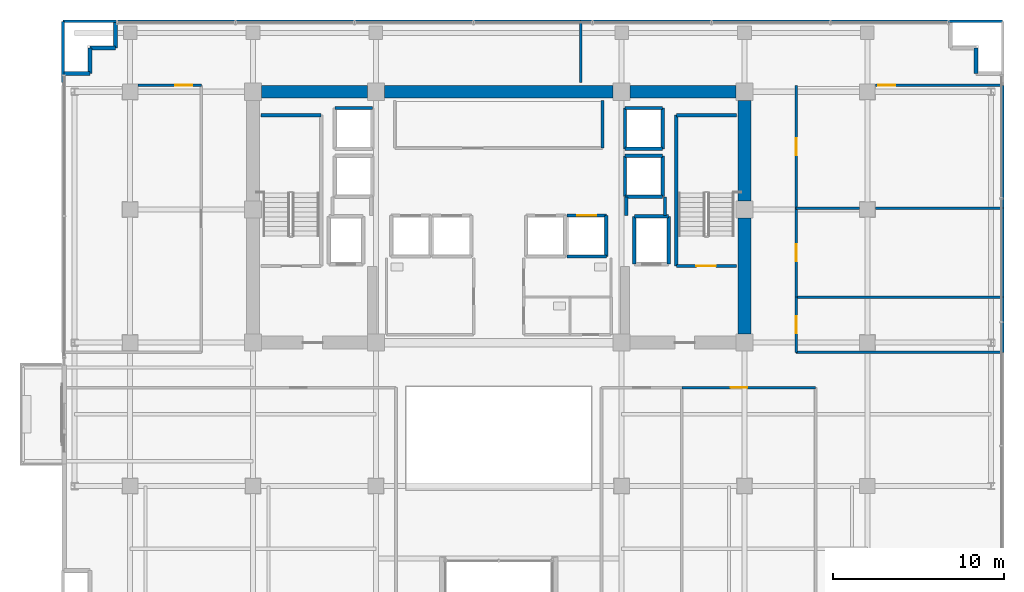
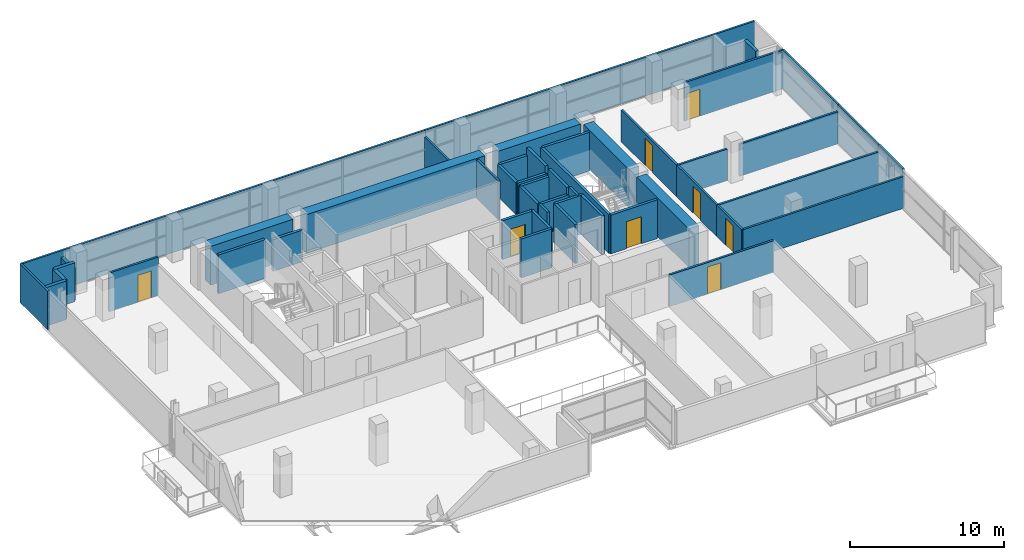
# One storey, part 17 of 23: 49 walls, 8 doors, 8 openings.
"""IFC4 building model written with IfcOpenShell, lengths in metres."""

from ifc_helpers import new_model, si_unit, direction, frame, frame_2d, origin, place, context, subcontext, project, spatial, rectangle, extrude, source, transform, mapped, material, layer, layer_set, type_object, element, fill, save


model = new_model("IFC4")

# Units and contexts
model_context = context("Model", 3, precision=1e-05, world=origin(), true_north=direction((0.0, 1.0)))
body_context = subcontext(model_context, "Body", "Model", "MODEL_VIEW")
ifc_project = project(units=[si_unit("LENGTHUNIT", "METRE"), si_unit("AREAUNIT", "SQUARE_METRE"), si_unit("VOLUMEUNIT", "CUBIC_METRE"), si_unit("PLANEANGLEUNIT", "RADIAN"), si_unit("MASSUNIT", "GRAM", prefix="KILO")], contexts=[model_context])

# Site, building, storey
site_placement = place(None, origin())
site = spatial("IfcSite", under=ifc_project, at=site_placement, CompositionType="ELEMENT")
building_placement = place(site_placement, origin())
building = spatial("IfcBuilding", under=site, at=building_placement, Name="Zarnakvel Exchange Tower", CompositionType="ELEMENT")
storey_placement = place(building_placement, frame((0.0, 0.0, 129.699951171875)))
storey = spatial("IfcBuildingStorey", under=building, at=storey_placement, Name="L36", CompositionType="ELEMENT", Elevation=129.699951171875)

# Walls
ifc_material_1 = material(Name="Concrete C60/75", Category="concrete")
ifc_layer_1 = layer(ifc_material_1, 0.75)
ifc_layer_set_1 = layer_set([ifc_layer_1], Name="Concrete C60/75")
wall_type_1 = type_object("IfcWallType", Name="CW-C3", PredefinedType="SHEAR", material=ifc_layer_set_1)
wall_1_placement = place(storey_placement, frame((-13.89990234375, 13.5, 0.0), z_axis=(0.0, 0.0, 1.0), x_axis=(1.0, 0.0, 0.0)))
element("IfcWall", 1, at=wall_1_placement, inside=storey, type_object=wall_type_1, Name="L36 Rear Core Shear Wall N1 (CW-C3)", PredefinedType="SHEAR", context=body_context, shape_type="SweptSolid", body=[
    extrude(rectangle(XDim=6.199951171875, YDim=0.75, at=frame_2d((3.10009765625, 0.0))), origin(), (0.0, 0.0, 1.0), 3.074951171875),
])
wall_2_placement = place(storey_placement, frame((-6.699951171875, 13.5, 0.0), z_axis=(0.0, 0.0, 1.0), x_axis=(1.0, 0.0, 0.0)))
element("IfcWall", 2, at=wall_2_placement, inside=storey, type_object=wall_type_1, Name="L36 Rear Core Shear Wall N2 (CW-C3)", PredefinedType="SHEAR", context=body_context, shape_type="SweptSolid", body=[
    extrude(rectangle(XDim=13.39990234375, YDim=0.75, at=frame_2d((6.699951171875, 0.0))), origin(), (0.0, 0.0, 1.0), 3.074951171875),
])
wall_3_placement = place(storey_placement, frame((7.699951171875, 13.5, 0.0), z_axis=(0.0, 0.0, 1.0), x_axis=(1.0, 0.0, 0.0)))
element("IfcWall", 3, at=wall_3_placement, inside=storey, type_object=wall_type_1, Name="L36 Rear Core Shear Wall N3 (CW-C3)", PredefinedType="SHEAR", context=body_context, shape_type="SweptSolid", body=[
    extrude(rectangle(XDim=6.199951171875, YDim=0.75, at=frame_2d((3.10009765625, 0.0))), origin(), (0.0, 0.0, 1.0), 3.074951171875),
])
wall_4_placement = place(storey_placement, frame((14.39990234375, -0.699951171875, 0.0), z_axis=(0.0, 0.0, 1.0), x_axis=(0.0, 1.0, 0.0)))
element("IfcWall", 4, at=wall_4_placement, inside=storey, type_object=wall_type_1, Name="L36 Rear Core Shear Wall E1 (CW-C3)", PredefinedType="SHEAR", context=body_context, shape_type="SweptSolid", body=[
    extrude(rectangle(XDim=6.800048828125, YDim=0.75, at=frame_2d((3.39990234375, 0.0))), origin(), (0.0, 0.0, 1.0), 3.074951171875),
])
wall_5_placement = place(storey_placement, frame((14.39990234375, 7.10009765625, 0.0), z_axis=(0.0, 0.0, 1.0), x_axis=(0.0, 1.0, 0.0)))
element("IfcWall", 5, at=wall_5_placement, inside=storey, type_object=wall_type_1, Name="L36 Rear Core Shear Wall E2 (CW-C3)", PredefinedType="SHEAR", context=body_context, shape_type="SweptSolid", body=[
    extrude(rectangle(XDim=5.89990234375, YDim=0.75, at=frame_2d((2.949951171875, 0.0))), origin(), (0.0, 0.0, 1.0), 3.074951171875),
])
ifc_material_2 = material(Name="Precast concrete C40/50", Category="concrete")
ifc_layer_2 = layer(ifc_material_2, 0.239990234375)
ifc_layer_set_2 = layer_set([ifc_layer_2], Name="Precast concrete C40/50")
wall_type_2 = type_object("IfcWallType", Name="EW-02", PredefinedType="SOLIDWALL", material=ifc_layer_set_2)
for number, where, z_axis, x_axis, name in (
    (6, (-23.9599609375, 14.56005859375, 0.0), (0.0, 0.0, 1.0), (-1.0, 0.0, 0.0), "L36 Exterior Precast Spandrel Wall EWC-L36-03 (EW-02)"),
    (7, (-23.9599609375, 16.06005859375, 0.0), (0.0, 0.0, 1.0), (0.0, -1.0, 0.0), "L36 Exterior Precast Spandrel Wall EWC-L36-04 (EW-02)"),
    (8, (-22.4599609375, 16.06005859375, 0.0), (0.0, 0.0, 1.0), (-1.0, 0.0, 0.0), "L36 Exterior Precast Spandrel Wall EWC-L36-05 (EW-02)"),
):
    element("IfcWall", number, at=place(storey_placement, frame(where, z_axis=z_axis, x_axis=x_axis)), inside=storey, type_object=wall_type_2, Name=name, PredefinedType="SOLIDWALL", context=body_context, shape_type="SweptSolid", body=[
        extrude(rectangle(XDim=1.5, YDim=0.239990234375, at=frame_2d((0.75, 0.0))), origin(), (0.0, 0.0, 1.0), 3.074951171875),
    ])
wall_6_placement = place(storey_placement, frame((-22.4599609375, 17.56005859375, 0.0), z_axis=(0.0, 0.0, 1.0), x_axis=(0.0, -1.0, 0.0)))
element("IfcWall", 9, at=wall_6_placement, inside=storey, type_object=wall_type_2, Name="L36 Exterior Precast Spandrel Wall EWC-L36-06 (EW-02)", PredefinedType="SOLIDWALL", context=body_context, shape_type="SweptSolid", body=[
    extrude(rectangle(XDim=1.5, YDim=0.239990234375, at=frame_2d((0.75, 0.0))), origin(), (0.0, 0.0, 1.0), 2.56494140625),
])
wall_7_placement = place(storey_placement, frame((27.9599609375, 14.56005859375, 0.0), z_axis=(0.0, 0.0, 1.0), x_axis=(0.0, 1.0, 0.0)))
element("IfcWall", 10, at=wall_7_placement, inside=storey, type_object=wall_type_2, Name="L36 Exterior Precast Spandrel Wall EWC-L36-09 (EW-02)", PredefinedType="SOLIDWALL", context=body_context, shape_type="SweptSolid", body=[
    extrude(rectangle(XDim=1.5, YDim=0.239990234375, at=frame_2d((0.75, 0.0))), origin(), (0.0, 0.0, 1.0), 3.074951171875),
])
ifc_material_3 = material(Name="Fire-Rated Gypsum Stud Partition", Category="gypsum")
ifc_layer_3 = layer(ifc_material_3, 0.14990234375)
ifc_layer_set_3 = layer_set([ifc_layer_3], Name="Fire-Rated Gypsum Stud Partition")
wall_type_3 = type_object("IfcWallType", Name="PT-01", PredefinedType="PARTITIONING", material=ifc_layer_set_3)
wall_8_placement = place(storey_placement, frame((6.080078125, 13.0, 0.0), z_axis=(0.0, 0.0, 1.0), x_axis=(0.0, -1.0, 0.0)))
element("IfcWall", 11, at=wall_8_placement, inside=storey, type_object=wall_type_3, Name="L36 Partition Wall PWALL-L36-013 (PT-01)", PredefinedType="PARTITIONING", context=body_context, shape_type="SweptSolid", body=[
    extrude(rectangle(XDim=2.800048828125, YDim=0.14990234375, at=frame_2d((1.39990234375, 0.0))), origin(), (0.0, 0.0, 1.0), 3.074951171875),
])

# Wall, opening, door
wall_9_placement = place(storey_placement, frame((10.72900390625, -3.830078125, 0.0), z_axis=(0.0, 0.0, 1.0), x_axis=(1.0, 0.0, 0.0)))
wall_9 = element("IfcWall", 12, at=wall_9_placement, inside=storey, type_object=wall_type_3, Name="L36 Partition Wall PWALL-L36-034 (PT-01)", PredefinedType="PARTITIONING", context=body_context, shape_type="SweptSolid", body=[
    extrude(rectangle(XDim=7.8369140625, YDim=0.14990234375, at=frame_2d((3.91845703125, 0.0))), origin(), (0.0, 0.0, 1.0), 2.51513671875),
])
opening_1_placement = place(wall_9_placement, frame((2.86083984375, 0.0, 0.0)))
opening_1 = element("IfcOpeningElement", 13, at=opening_1_placement, cuts=wall_9, Name="Opening D-L36-12", PredefinedType="OPENING", context=body_context, shape_type="SweptSolid", body=[
    extrude(rectangle(XDim=0.97998046875, YDim=2.14990234375, at=frame_2d((0.489990234375, 1.074951171875))), frame((0.0, 0.0849609375, 0.0), z_axis=(0.0, -1.0, 0.0), x_axis=(1.0, 0.0, 0.0)), (0.0, 0.0, 1.0), 0.169921875),
])
ifc_material_4 = material(Name="Timber Acoustic Veneer", Category="wood")
door_type_1 = type_object("IfcDoorType", Name="DT-05", OperationType="NOTDEFINED", PredefinedType="DOOR", material=ifc_material_4)
shared_shape_1 = source(origin(), body_context, "Body", "SweptSolid", [
    extrude(rectangle(XDim=0.97998046875, YDim=2.14990234375, at=frame_2d((0.489990234375, 1.074951171875))), frame((0.0, 0.02490234375, 0.0), z_axis=(0.0, -1.0, 0.0), x_axis=(1.0, 0.0, 0.0)), (0.0, 0.0, 1.0), 0.050048828125),
])
door_1_placement = place(opening_1_placement, origin())
door_1 = element("IfcDoor", 14, at=door_1_placement, inside=storey, type_object=door_type_1, Name="L36 Executive Office Door D-L36-12", OperationType="SINGLE_SWING_RIGHT", OverallHeight=2.14990234375, OverallWidth=0.97998046875, PredefinedType="DOOR", context=body_context, shape_type="MappedRepresentation", body=[
    mapped(shared_shape_1, transform((0.0, 0.0, 0.0), x_axis=(1.0, 0.0, 0.0), y_axis=(0.0, 1.0, 0.0), z_axis=(0.0, 0.0, 1.0), scale=1.0)),
])
fill(opening_1, door_1)

wall_10_placement = place(storey_placement, frame((-21.1298828125, 13.8798828125, 0.0), z_axis=(0.0, 0.0, 1.0), x_axis=(1.0, 0.0, 0.0)))
wall_10 = element("IfcWall", 15, at=wall_10_placement, inside=storey, type_object=wall_type_3, Name="L36 Partition Wall PWALL-L36-037 (PT-01)", PredefinedType="PARTITIONING", context=body_context, shape_type="SweptSolid", body=[
    extrude(rectangle(XDim=3.699951171875, YDim=0.14990234375, at=frame_2d((1.85009765625, 0.0))), origin(), (0.0, 0.0, 1.0), 3.074951171875),
])
opening_2_placement = place(wall_10_placement, frame((2.18994140625, 0.0, 0.0)))
opening_2 = element("IfcOpeningElement", 16, at=opening_2_placement, cuts=wall_10, Name="Opening D-L36-17", PredefinedType="OPENING", context=body_context, shape_type="SweptSolid", body=[
    extrude(rectangle(XDim=0.97998046875, YDim=2.14990234375, at=frame_2d((0.489990234375, 1.074951171875))), frame((0.0, 0.0849609375, 0.0), z_axis=(0.0, -1.0, 0.0), x_axis=(1.0, 0.0, 0.0)), (0.0, 0.0, 1.0), 0.169921875),
])
door_2_placement = place(opening_2_placement, origin())
door_2 = element("IfcDoor", 17, at=door_2_placement, inside=storey, type_object=door_type_1, Name="L36 Risk Analytics Suite Door D-L36-17", OperationType="SINGLE_SWING_LEFT", OverallHeight=2.14990234375, OverallWidth=0.97998046875, PredefinedType="DOOR", context=body_context, shape_type="MappedRepresentation", body=[
    mapped(shared_shape_1, transform((0.0, 0.0, 0.0), x_axis=(1.0, 0.0, 0.0), y_axis=(0.0, 1.0, 0.0), z_axis=(0.0, 0.0, 1.0), scale=1.0)),
])
fill(opening_2, door_2)

# Walls
for number, where, z_axis, x_axis, name in (
    (18, (29.530029296875, -1.77001953125, 0.0), (0.0, 0.0, 1.0), (-1.0, 0.0, 0.0), "L36 Partition Wall PWALL-L36-040 (PT-01)"),
    (19, (17.429931640625, 1.460205078125, 0.0), (0.0, 0.0, 1.0), (1.0, 0.0, 0.0), "L36 Partition Wall PWALL-L36-041 (PT-01)"),
):
    element("IfcWall", number, at=place(storey_placement, frame(where, z_axis=z_axis, x_axis=x_axis)), inside=storey, type_object=wall_type_3, Name=name, PredefinedType="PARTITIONING", context=body_context, shape_type="SweptSolid", body=[
        extrude(rectangle(XDim=12.10009765625, YDim=0.14990234375, at=frame_2d((6.050048828125, 0.0))), origin(), (0.0, 0.0, 1.0), 2.51513671875),
    ])

# Wall, opening, door
wall_11_placement = place(storey_placement, frame((17.429931640625, -1.77001953125, 0.0), z_axis=(0.0, 0.0, 1.0), x_axis=(0.0, 1.0, 0.0)))
wall_11 = element("IfcWall", 20, at=wall_11_placement, inside=storey, type_object=wall_type_3, Name="L36 Partition Wall PWALL-L36-042 (PT-01)", PredefinedType="PARTITIONING", context=body_context, shape_type="SweptSolid", body=[
    extrude(rectangle(XDim=3.230224609375, YDim=0.14990234375, at=frame_2d((1.615234375, 0.0))), origin(), (0.0, 0.0, 1.0), 2.51513671875),
])
opening_3_placement = place(wall_11_placement, frame((1.125, 0.0, 0.0)))
opening_3 = element("IfcOpeningElement", 21, at=opening_3_placement, cuts=wall_11, Name="Opening D-L36-14", PredefinedType="OPENING", context=body_context, shape_type="SweptSolid", body=[
    extrude(rectangle(XDim=0.97998046875, YDim=2.14990234375, at=frame_2d((0.489990234375, 1.074951171875))), frame((0.0, 0.0849609375, 0.0), z_axis=(0.0, -1.0, 0.0), x_axis=(1.0, 0.0, 0.0)), (0.0, 0.0, 1.0), 0.169921875),
])
door_3_placement = place(opening_3_placement, origin())
door_3 = element("IfcDoor", 22, at=door_3_placement, inside=storey, type_object=door_type_1, Name="L36 Staff Pantry Door D-L36-14", OperationType="SINGLE_SWING_RIGHT", OverallHeight=2.14990234375, OverallWidth=0.97998046875, PredefinedType="DOOR", context=body_context, shape_type="MappedRepresentation", body=[
    mapped(shared_shape_1, transform((0.0, 0.0, 0.0), x_axis=(1.0, 0.0, 0.0), y_axis=(0.0, 1.0, 0.0), z_axis=(0.0, 0.0, 1.0), scale=1.0)),
])
fill(opening_3, door_3)

# Walls
wall_12_placement = place(storey_placement, frame((29.530029296875, 1.460205078125, 0.0), z_axis=(0.0, 0.0, 1.0), x_axis=(0.0, -1.0, 0.0)))
element("IfcWall", 23, at=wall_12_placement, inside=storey, type_object=wall_type_3, Name="L36 Partition Wall PWALL-L36-043 (PT-01)", PredefinedType="PARTITIONING", context=body_context, shape_type="SweptSolid", body=[
    extrude(rectangle(XDim=3.230224609375, YDim=0.14990234375, at=frame_2d((1.615234375, 0.0))), origin(), (0.0, 0.0, 1.0), 3.074951171875),
])
wall_13_placement = place(storey_placement, frame((22.070068359375, 6.6767578125, 0.0), z_axis=(0.0, 0.0, 1.0), x_axis=(1.0, 0.0, 0.0)))
element("IfcWall", 24, at=wall_13_placement, inside=storey, type_object=wall_type_3, Name="L36 Partition Wall PWALL-L36-044 (PT-01)", PredefinedType="PARTITIONING", context=body_context, shape_type="SweptSolid", body=[
    extrude(rectangle(XDim=7.4599609375, YDim=0.14990234375, at=frame_2d((3.72998046875, 0.0))), origin(), (0.0, 0.0, 1.0), 2.56494140625),
])

# Wall, opening, door
wall_14_placement = place(storey_placement, frame((17.429931640625, 1.460205078125, 0.0), z_axis=(0.0, 0.0, 1.0), x_axis=(0.0, 1.0, 0.0)))
wall_14 = element("IfcWall", 25, at=wall_14_placement, inside=storey, type_object=wall_type_3, Name="L36 Partition Wall PWALL-L36-045 (PT-01)", PredefinedType="PARTITIONING", context=body_context, shape_type="SweptSolid", body=[
    extrude(rectangle(XDim=5.216552734375, YDim=0.14990234375, at=frame_2d((2.6083984375, 0.0))), origin(), (0.0, 0.0, 1.0), 2.51513671875),
])
opening_4_placement = place(wall_14_placement, frame((2.117919921875, 0.0, 0.0)))
opening_4 = element("IfcOpeningElement", 26, at=opening_4_placement, cuts=wall_14, Name="Opening D-L36-15", PredefinedType="OPENING", context=body_context, shape_type="SweptSolid", body=[
    extrude(rectangle(XDim=0.97998046875, YDim=2.14990234375, at=frame_2d((0.489990234375, 1.074951171875))), frame((0.0, 0.0849609375, 0.0), z_axis=(0.0, -1.0, 0.0), x_axis=(1.0, 0.0, 0.0)), (0.0, 0.0, 1.0), 0.169921875),
])
door_4_placement = place(opening_4_placement, origin())
door_4 = element("IfcDoor", 27, at=door_4_placement, inside=storey, type_object=door_type_1, Name="L36 Risk Analytics Suite Door D-L36-15", OperationType="SINGLE_SWING_LEFT", OverallHeight=2.14990234375, OverallWidth=0.97998046875, PredefinedType="DOOR", context=body_context, shape_type="MappedRepresentation", body=[
    mapped(shared_shape_1, transform((0.0, 0.0, 0.0), x_axis=(1.0, 0.0, 0.0), y_axis=(0.0, 1.0, 0.0), z_axis=(0.0, 0.0, 1.0), scale=1.0)),
])
fill(opening_4, door_4)

# Walls
wall_15_placement = place(storey_placement, frame((29.530029296875, 6.6767578125, 0.0), z_axis=(0.0, 0.0, 1.0), x_axis=(0.0, -1.0, 0.0)))
element("IfcWall", 28, at=wall_15_placement, inside=storey, type_object=wall_type_3, Name="L36 Partition Wall PWALL-L36-046 (PT-01)", PredefinedType="PARTITIONING", context=body_context, shape_type="SweptSolid", body=[
    extrude(rectangle(XDim=5.216552734375, YDim=0.14990234375, at=frame_2d((2.6083984375, 0.0))), origin(), (0.0, 0.0, 1.0), 3.074951171875),
])
wall_16_placement = place(storey_placement, frame((21.1298828125, 6.6767578125, 0.0), z_axis=(0.0, 0.0, 1.0), x_axis=(-1.0, 0.0, 0.0)))
element("IfcWall", 29, at=wall_16_placement, inside=storey, type_object=wall_type_3, Name="L36 Partition Wall PWALL-L36-047 (PT-01)", PredefinedType="PARTITIONING", context=body_context, shape_type="SweptSolid", body=[
    extrude(rectangle(XDim=3.699951171875, YDim=0.14990234375, at=frame_2d((1.85009765625, 0.0))), origin(), (0.0, 0.0, 1.0), 2.51513671875),
])

# Wall, opening, door
wall_17_placement = place(storey_placement, frame((22.070068359375, 13.8798828125, 0.0), z_axis=(0.0, 0.0, 1.0), x_axis=(1.0, 0.0, 0.0)))
wall_17 = element("IfcWall", 30, at=wall_17_placement, inside=storey, type_object=wall_type_3, Name="L36 Partition Wall PWALL-L36-048 (PT-01)", PredefinedType="PARTITIONING", context=body_context, shape_type="SweptSolid", body=[
    extrude(rectangle(XDim=7.4599609375, YDim=0.14990234375, at=frame_2d((3.72998046875, 0.0))), origin(), (0.0, 0.0, 1.0), 3.074951171875),
])
opening_5_placement = place(wall_17_placement, frame((0.179931640625, 0.0, 0.0)))
opening_5 = element("IfcOpeningElement", 31, at=opening_5_placement, cuts=wall_17, Name="Opening D-L36-18", PredefinedType="OPENING", context=body_context, shape_type="SweptSolid", body=[
    extrude(rectangle(XDim=0.97998046875, YDim=2.14990234375, at=frame_2d((0.489990234375, 1.074951171875))), frame((0.0, 0.0849609375, 0.0), z_axis=(0.0, -1.0, 0.0), x_axis=(1.0, 0.0, 0.0)), (0.0, 0.0, 1.0), 0.169921875),
])
door_5_placement = place(opening_5_placement, origin())
door_5 = element("IfcDoor", 32, at=door_5_placement, inside=storey, type_object=door_type_1, Name="L36 Members Lounge Door D-L36-18", OperationType="SINGLE_SWING_RIGHT", OverallHeight=2.14990234375, OverallWidth=0.97998046875, PredefinedType="DOOR", context=body_context, shape_type="MappedRepresentation", body=[
    mapped(shared_shape_1, transform((0.0, 0.0, 0.0), x_axis=(1.0, 0.0, 0.0), y_axis=(0.0, 1.0, 0.0), z_axis=(0.0, 0.0, 1.0), scale=1.0)),
])
fill(opening_5, door_5)

wall_18_placement = place(storey_placement, frame((17.429931640625, 6.6767578125, 0.0), z_axis=(0.0, 0.0, 1.0), x_axis=(0.0, 1.0, 0.0)))
wall_18 = element("IfcWall", 33, at=wall_18_placement, inside=storey, type_object=wall_type_3, Name="L36 Partition Wall PWALL-L36-049 (PT-01)", PredefinedType="PARTITIONING", context=body_context, shape_type="SweptSolid", body=[
    extrude(rectangle(XDim=7.203125, YDim=0.14990234375, at=frame_2d((3.6015625, 0.0))), origin(), (0.0, 0.0, 1.0), 2.51513671875),
])
opening_6_placement = place(wall_18_placement, frame((3.111083984375, 0.0, 0.0)))
opening_6 = element("IfcOpeningElement", 34, at=opening_6_placement, cuts=wall_18, Name="Opening D-L36-16", PredefinedType="OPENING", context=body_context, shape_type="SweptSolid", body=[
    extrude(rectangle(XDim=0.97998046875, YDim=2.14990234375, at=frame_2d((0.489990234375, 1.074951171875))), frame((0.0, 0.0849609375, 0.0), z_axis=(0.0, -1.0, 0.0), x_axis=(1.0, 0.0, 0.0)), (0.0, 0.0, 1.0), 0.169921875),
])
door_6_placement = place(opening_6_placement, origin())
door_6 = element("IfcDoor", 35, at=door_6_placement, inside=storey, type_object=door_type_1, Name="L36 Members Lounge Door D-L36-16", OperationType="SINGLE_SWING_RIGHT", OverallHeight=2.14990234375, OverallWidth=0.97998046875, PredefinedType="DOOR", context=body_context, shape_type="MappedRepresentation", body=[
    mapped(shared_shape_1, transform((0.0, 0.0, 0.0), x_axis=(1.0, 0.0, 0.0), y_axis=(0.0, 1.0, 0.0), z_axis=(0.0, 0.0, 1.0), scale=1.0)),
])
fill(opening_6, door_6)

# Walls
wall_19_placement = place(storey_placement, frame((29.530029296875, 13.8798828125, 0.0), z_axis=(0.0, 0.0, 1.0), x_axis=(0.0, -1.0, 0.0)))
element("IfcWall", 36, at=wall_19_placement, inside=storey, type_object=wall_type_3, Name="L36 Partition Wall PWALL-L36-050 (PT-01)", PredefinedType="PARTITIONING", context=body_context, shape_type="SweptSolid", body=[
    extrude(rectangle(XDim=7.203125, YDim=0.14990234375, at=frame_2d((3.6015625, 0.0))), origin(), (0.0, 0.0, 1.0), 3.074951171875),
])
wall_20_placement = place(storey_placement, frame((-25.530029296875, 17.6298828125, 0.0), z_axis=(0.0, 0.0, 1.0), x_axis=(1.0, 0.0, 0.0)))
element("IfcWall", 37, at=wall_20_placement, inside=storey, type_object=wall_type_3, Name="L36 Partition Wall PWALL-L36-051 (PT-01)", PredefinedType="PARTITIONING", context=body_context, shape_type="SweptSolid", body=[
    extrude(rectangle(XDim=30.330078125, YDim=0.14990234375, at=frame_2d((15.1650390625, 0.0))), origin(), (0.0, 0.0, 1.0), 3.074951171875),
])
wall_21_placement = place(storey_placement, frame((-25.530029296875, 14.030029296875, 0.0), z_axis=(0.0, 0.0, 1.0), x_axis=(0.0, 1.0, 0.0)))
element("IfcWall", 38, at=wall_21_placement, inside=storey, type_object=wall_type_3, Name="L36 Partition Wall PWALL-L36-052 (PT-01)", PredefinedType="PARTITIONING", context=body_context, shape_type="SweptSolid", body=[
    extrude(rectangle(XDim=3.599853515625, YDim=0.14990234375, at=frame_2d((1.7998046875, 0.0))), origin(), (0.0, 0.0, 1.0), 3.074951171875),
])
wall_22_placement = place(storey_placement, frame((4.800048828125, 17.6298828125, 0.0), z_axis=(0.0, 0.0, 1.0), x_axis=(0.0, -1.0, 0.0)))
element("IfcWall", 39, at=wall_22_placement, inside=storey, type_object=wall_type_3, Name="L36 Partition Wall PWALL-L36-053 (PT-01)", PredefinedType="PARTITIONING", context=body_context, shape_type="SweptSolid", body=[
    extrude(rectangle(XDim=3.599853515625, YDim=0.14990234375, at=frame_2d((1.7998046875, 0.0))), origin(), (0.0, 0.0, 1.0), 2.56494140625),
])
wall_23_placement = place(storey_placement, frame((4.800048828125, 17.6298828125, 0.0), z_axis=(0.0, 0.0, 1.0), x_axis=(1.0, 0.0, 0.0)))
element("IfcWall", 40, at=wall_23_placement, inside=storey, type_object=wall_type_3, Name="L36 Partition Wall PWALL-L36-054 (PT-01)", PredefinedType="PARTITIONING", context=body_context, shape_type="SweptSolid", body=[
    extrude(rectangle(XDim=24.72998046875, YDim=0.14990234375, at=frame_2d((12.364990234375, 0.0))), origin(), (0.0, 0.0, 1.0), 3.074951171875),
])
ifc_layer_4 = layer(ifc_material_3, 0.179931640625)
ifc_layer_set_4 = layer_set([ifc_layer_4], Name="Fire-Rated Gypsum Stud Partition")
wall_type_4 = type_object("IfcWallType", Name="PT-02", PredefinedType="PARTITIONING", material=ifc_layer_set_4)
wall_24_placement = place(storey_placement, frame((7.469970703125, 6.239990234375, 0.0), z_axis=(0.0, 0.0, 1.0), x_axis=(0.0, 1.0, 0.0)))
element("IfcWall", 41, at=wall_24_placement, inside=storey, type_object=wall_type_4, Name="L36 Partition Wall PWALL-L36-009 (PT-02)", PredefinedType="PARTITIONING", context=body_context, shape_type="SweptSolid", body=[
    extrude(rectangle(XDim=1.090087890625, YDim=0.179931640625, at=frame_2d((0.544921875, 0.0))), origin(), (0.0, 0.0, 1.0), 2.51513671875),
])
wall_25_placement = place(storey_placement, frame((9.72998046875, 7.330078125, 0.0), z_axis=(0.0, 0.0, 1.0), x_axis=(0.0, -1.0, 0.0)))
element("IfcWall", 42, at=wall_25_placement, inside=storey, type_object=wall_type_4, Name="L36 Partition Wall PWALL-L36-010 (PT-02)", PredefinedType="PARTITIONING", context=body_context, shape_type="SweptSolid", body=[
    extrude(rectangle(XDim=1.090087890625, YDim=0.179931640625, at=frame_2d((0.544921875, 0.0))), origin(), (0.0, 0.0, 1.0), 3.074951171875),
])
ifc_material_5 = material(Name="Concrete C40/50", Category="concrete")
ifc_layer_5 = layer(ifc_material_5, 0.199951171875)
ifc_layer_set_5 = layer_set([ifc_layer_5], Name="Concrete C40/50")
wall_type_5 = type_object("IfcWallType", Name="SW-01", PredefinedType="SOLIDWALL", material=ifc_layer_set_5)
wall_26_placement = place(storey_placement, frame((7.949951171875, 6.199951171875, 0.0), z_axis=(0.0, 0.0, 1.0), x_axis=(1.0, 0.0, 0.0)))
element("IfcWall", 43, at=wall_26_placement, inside=storey, type_object=wall_type_5, Name="L36 FL-02 Hoistway Wall North", PredefinedType="SOLIDWALL", context=body_context, shape_type="SweptSolid", body=[
    extrude(rectangle(XDim=2.0, YDim=0.199951171875, at=frame_2d((1.0, 0.0))), origin(), (0.0, 0.0, 1.0), 3.074951171875),
])
for number, where, z_axis, x_axis, name in (
    (44, (7.949951171875, 3.39990234375, 0.0), (0.0, 0.0, 1.0), (0.0, 1.0, 0.0), "L36 FL-02 Hoistway Wall West"),
    (45, (9.949951171875, 6.199951171875, 0.0), (0.0, 0.0, 1.0), (0.0, -1.0, 0.0), "L36 FL-02 Hoistway Wall East"),
):
    element("IfcWall", number, at=place(storey_placement, frame(where, z_axis=z_axis, x_axis=x_axis)), inside=storey, type_object=wall_type_5, Name=name, PredefinedType="SOLIDWALL", context=body_context, shape_type="SweptSolid", body=[
        extrude(rectangle(XDim=2.800048828125, YDim=0.199951171875, at=frame_2d((1.39990234375, 0.0))), origin(), (0.0, 0.0, 1.0), 3.074951171875),
    ])
wall_27_placement = place(storey_placement, frame((6.300048828125, 3.85009765625, 0.0), z_axis=(0.0, 0.0, 1.0), x_axis=(-1.0, 0.0, 0.0)))
element("IfcWall", 46, at=wall_27_placement, inside=storey, type_object=wall_type_5, Name="L36 PL-08 Hoistway Wall South", PredefinedType="SOLIDWALL", context=body_context, shape_type="SweptSolid", body=[
    extrude(rectangle(XDim=2.300048828125, YDim=0.199951171875, at=frame_2d((1.14990234375, 0.0))), origin(), (0.0, 0.0, 1.0), 3.074951171875),
])

# Wall, opening, door
wall_28_placement = place(storey_placement, frame((4.0, 6.25, 0.0), z_axis=(0.0, 0.0, 1.0), x_axis=(1.0, 0.0, 0.0)))
wall_28 = element("IfcWall", 47, at=wall_28_placement, inside=storey, type_object=wall_type_5, Name="L36 PL-08 Hoistway Wall North", PredefinedType="SOLIDWALL", context=body_context, shape_type="SweptSolid", body=[
    extrude(rectangle(XDim=2.300048828125, YDim=0.199951171875, at=frame_2d((1.14990234375, 0.0))), origin(), (0.0, 0.0, 1.0), 3.074951171875),
])
opening_7_placement = place(wall_28_placement, frame((0.60009765625, 0.0, 0.0)))
opening_7 = element("IfcOpeningElement", 48, at=opening_7_placement, cuts=wall_28, Name="Opening LD-PL-08-L36", PredefinedType="OPENING", context=body_context, shape_type="SweptSolid", body=[
    extrude(rectangle(XDim=1.10009765625, YDim=2.199951171875, at=frame_2d((0.550048828125, 1.10009765625))), frame((0.0, 0.10986328125, 0.0), z_axis=(0.0, -1.0, 0.0), x_axis=(1.0, 0.0, 0.0)), (0.0, 0.0, 1.0), 0.219970703125),
])
ifc_material_6 = material(Name="Architectural Bronze Anodised Aluminium", Category="aluminium")
door_type_2 = type_object("IfcDoorType", Name="LDT-02", OperationType="NOTDEFINED", PredefinedType="DOOR", material=ifc_material_6)
shared_shape_2 = source(origin(), body_context, "Body", "SweptSolid", [
    extrude(rectangle(XDim=1.10009765625, YDim=2.199951171875, at=frame_2d((0.550048828125, 1.10009765625))), frame((0.0, 0.02490234375, 0.0), z_axis=(0.0, -1.0, 0.0), x_axis=(1.0, 0.0, 0.0)), (0.0, 0.0, 1.0), 0.050048828125),
])
door_7_placement = place(opening_7_placement, origin())
door_7 = element("IfcDoor", 49, at=door_7_placement, inside=storey, type_object=door_type_2, Name="L36 PL-08 Lift Landing Door LD-PL-08-L36", OperationType="DOUBLE_DOOR_SLIDING", OverallHeight=2.199951171875, OverallWidth=1.10009765625, PredefinedType="DOOR", context=body_context, shape_type="MappedRepresentation", body=[
    mapped(shared_shape_2, transform((0.0, 0.0, 0.0), x_axis=(1.0, 0.0, 0.0), y_axis=(0.0, 1.0, 0.0), z_axis=(0.0, 0.0, 1.0), scale=1.0)),
])
fill(opening_7, door_7)

# Walls
wall_29_placement = place(storey_placement, frame((6.300048828125, 6.25, 0.0), z_axis=(0.0, 0.0, 1.0), x_axis=(0.0, -1.0, 0.0)))
element("IfcWall", 50, at=wall_29_placement, inside=storey, type_object=wall_type_5, Name="L36 PL-08 Hoistway Wall East", PredefinedType="SOLIDWALL", context=body_context, shape_type="SweptSolid", body=[
    extrude(rectangle(XDim=2.39990234375, YDim=0.199951171875, at=frame_2d((1.199951171875, 0.0))), origin(), (0.0, 0.0, 1.0), 3.074951171875),
])
for number, where, z_axis, x_axis, name in (
    (51, (-9.60009765625, 12.550048828125, 0.0), (0.0, 0.0, 1.0), (1.0, 0.0, 0.0), "L36 PL-10 Hoistway Wall North"),
    (52, (9.60009765625, 7.35009765625, 0.0), (0.0, 0.0, 1.0), (-1.0, 0.0, 0.0), "L36 PL-11 Hoistway Wall South"),
    (53, (7.39990234375, 9.75, 0.0), (0.0, 0.0, 1.0), (1.0, 0.0, 0.0), "L36 PL-11 Hoistway Wall North"),
):
    element("IfcWall", number, at=place(storey_placement, frame(where, z_axis=z_axis, x_axis=x_axis)), inside=storey, type_object=wall_type_5, Name=name, PredefinedType="SOLIDWALL", context=body_context, shape_type="SweptSolid", body=[
        extrude(rectangle(XDim=2.2001953125, YDim=0.199951171875, at=frame_2d((1.10009765625, 0.0))), origin(), (0.0, 0.0, 1.0), 2.51513671875),
    ])
wall_30_placement = place(storey_placement, frame((7.39990234375, 7.35009765625, 0.0), z_axis=(0.0, 0.0, 1.0), x_axis=(0.0, 1.0, 0.0)))
element("IfcWall", 54, at=wall_30_placement, inside=storey, type_object=wall_type_5, Name="L36 PL-11 Hoistway Wall West", PredefinedType="SOLIDWALL", context=body_context, shape_type="SweptSolid", body=[
    extrude(rectangle(XDim=2.39990234375, YDim=0.199951171875, at=frame_2d((1.199951171875, 0.0))), origin(), (0.0, 0.0, 1.0), 2.51513671875),
])
wall_31_placement = place(storey_placement, frame((9.60009765625, 9.75, 0.0), z_axis=(0.0, 0.0, 1.0), x_axis=(0.0, -1.0, 0.0)))
element("IfcWall", 55, at=wall_31_placement, inside=storey, type_object=wall_type_5, Name="L36 PL-11 Hoistway Wall East", PredefinedType="SOLIDWALL", context=body_context, shape_type="SweptSolid", body=[
    extrude(rectangle(XDim=2.39990234375, YDim=0.199951171875, at=frame_2d((1.199951171875, 0.0))), origin(), (0.0, 0.0, 1.0), 3.074951171875),
])
for number, where, z_axis, x_axis, name in (
    (56, (9.60009765625, 10.14990234375, 0.0), (0.0, 0.0, 1.0), (-1.0, 0.0, 0.0), "L36 PL-12 Hoistway Wall South"),
    (57, (7.39990234375, 12.550048828125, 0.0), (0.0, 0.0, 1.0), (1.0, 0.0, 0.0), "L36 PL-12 Hoistway Wall North"),
):
    element("IfcWall", number, at=place(storey_placement, frame(where, z_axis=z_axis, x_axis=x_axis)), inside=storey, type_object=wall_type_5, Name=name, PredefinedType="SOLIDWALL", context=body_context, shape_type="SweptSolid", body=[
        extrude(rectangle(XDim=2.2001953125, YDim=0.199951171875, at=frame_2d((1.10009765625, 0.0))), origin(), (0.0, 0.0, 1.0), 2.51513671875),
    ])
wall_32_placement = place(storey_placement, frame((7.39990234375, 10.14990234375, 0.0), z_axis=(0.0, 0.0, 1.0), x_axis=(0.0, 1.0, 0.0)))
element("IfcWall", 58, at=wall_32_placement, inside=storey, type_object=wall_type_5, Name="L36 PL-12 Hoistway Wall West", PredefinedType="SOLIDWALL", context=body_context, shape_type="SweptSolid", body=[
    extrude(rectangle(XDim=2.400146484375, YDim=0.199951171875, at=frame_2d((1.2001953125, 0.0))), origin(), (0.0, 0.0, 1.0), 2.51513671875),
])
wall_33_placement = place(storey_placement, frame((9.60009765625, 12.550048828125, 0.0), z_axis=(0.0, 0.0, 1.0), x_axis=(0.0, -1.0, 0.0)))
element("IfcWall", 59, at=wall_33_placement, inside=storey, type_object=wall_type_5, Name="L36 PL-12 Hoistway Wall East", PredefinedType="SOLIDWALL", context=body_context, shape_type="SweptSolid", body=[
    extrude(rectangle(XDim=2.400146484375, YDim=0.199951171875, at=frame_2d((1.2001953125, 0.0))), origin(), (0.0, 0.0, 1.0), 3.074951171875),
])
ifc_layer_6 = layer(ifc_material_5, 0.199951171875)
ifc_layer_set_6 = layer_set([ifc_layer_6], Name="Concrete C40/50")
wall_type_6 = type_object("IfcWallType", Name="SW-02", PredefinedType="SOLIDWALL", material=ifc_layer_set_6)
wall_34_placement = place(storey_placement, frame((-13.929931640625, 12.1298828125, 0.0), z_axis=(0.0, 0.0, 1.0), x_axis=(1.0, 0.0, 0.0)))
element("IfcWall", 60, at=wall_34_placement, inside=storey, type_object=wall_type_6, Name="L36 Stairwell Core Wall PWALL-L36-002 (SW-02)", PredefinedType="SOLIDWALL", context=body_context, shape_type="SweptSolid", body=[
    extrude(rectangle(XDim=3.52001953125, YDim=0.199951171875, at=frame_2d((1.760009765625, 0.0))), origin(), (0.0, 0.0, 1.0), 3.074951171875),
])

# Wall, opening, door
wall_35_placement = place(storey_placement, frame((13.929931640625, 3.2900390625, 0.0), z_axis=(0.0, 0.0, 1.0), x_axis=(-1.0, 0.0, 0.0)))
wall_35 = element("IfcWall", 61, at=wall_35_placement, inside=storey, type_object=wall_type_6, Name="L36 Stairwell Core Wall PWALL-L36-004 (SW-02)", PredefinedType="SOLIDWALL", context=body_context, shape_type="SweptSolid", body=[
    extrude(rectangle(XDim=3.52001953125, YDim=0.199951171875, at=frame_2d((1.760009765625, 0.0))), origin(), (0.0, 0.0, 1.0), 3.074951171875),
])
opening_8_placement = place(wall_35_placement, frame((1.205078125, 0.0, 0.0)))
opening_8 = element("IfcOpeningElement", 62, at=opening_8_placement, cuts=wall_35, Name="Opening D-L36-02", PredefinedType="OPENING", context=body_context, shape_type="SweptSolid", body=[
    extrude(rectangle(XDim=1.14990234375, YDim=2.14990234375, at=frame_2d((0.574951171875, 1.074951171875))), frame((0.0, 0.10986328125, 0.0), z_axis=(0.0, -1.0, 0.0), x_axis=(1.0, 0.0, 0.0)), (0.0, 0.0, 1.0), 0.219970703125),
])
ifc_material_7 = material(Name="Painted Galvanised Steel S355", Category="steel")
door_type_3 = type_object("IfcDoorType", Name="DT-04", OperationType="NOTDEFINED", PredefinedType="DOOR", material=ifc_material_7)
shared_shape_3 = source(origin(), body_context, "Body", "SweptSolid", [
    extrude(rectangle(XDim=1.14990234375, YDim=2.14990234375, at=frame_2d((0.574951171875, 1.074951171875))), frame((0.0, 0.02490234375, 0.0), z_axis=(0.0, -1.0, 0.0), x_axis=(1.0, 0.0, 0.0)), (0.0, 0.0, 1.0), 0.050048828125),
])
door_8_placement = place(opening_8_placement, origin())
door_8 = element("IfcDoor", 63, at=door_8_placement, inside=storey, type_object=door_type_3, Name="L36 Stairwell ST-02 Door D-L36-02", OperationType="SINGLE_SWING_RIGHT", OverallHeight=2.14990234375, OverallWidth=1.14990234375, PredefinedType="DOOR", context=body_context, shape_type="MappedRepresentation", body=[
    mapped(shared_shape_3, transform((0.0, 0.0, 0.0), x_axis=(1.0, 0.0, 0.0), y_axis=(0.0, 1.0, 0.0), z_axis=(0.0, 0.0, 1.0), scale=1.0)),
])
fill(opening_8, door_8)

# Walls
wall_36_placement = place(storey_placement, frame((10.409912109375, 12.1298828125, 0.0), z_axis=(0.0, 0.0, 1.0), x_axis=(1.0, 0.0, 0.0)))
element("IfcWall", 64, at=wall_36_placement, inside=storey, type_object=wall_type_6, Name="L36 Stairwell Core Wall PWALL-L36-005 (SW-02)", PredefinedType="SOLIDWALL", context=body_context, shape_type="SweptSolid", body=[
    extrude(rectangle(XDim=3.52001953125, YDim=0.199951171875, at=frame_2d((1.760009765625, 0.0))), origin(), (0.0, 0.0, 1.0), 3.074951171875),
])
wall_37_placement = place(storey_placement, frame((10.409912109375, 3.2900390625, 0.0), z_axis=(0.0, 0.0, 1.0), x_axis=(0.0, 1.0, 0.0)))
element("IfcWall", 65, at=wall_37_placement, inside=storey, type_object=wall_type_6, Name="L36 Stairwell Core Wall PWALL-L36-006 (SW-02)", PredefinedType="SOLIDWALL", context=body_context, shape_type="SweptSolid", body=[
    extrude(rectangle(XDim=8.83984375, YDim=0.199951171875, at=frame_2d((4.419921875, 0.0))), origin(), (0.0, 0.0, 1.0), 3.074951171875),
])

save(model, "model.ifc")
